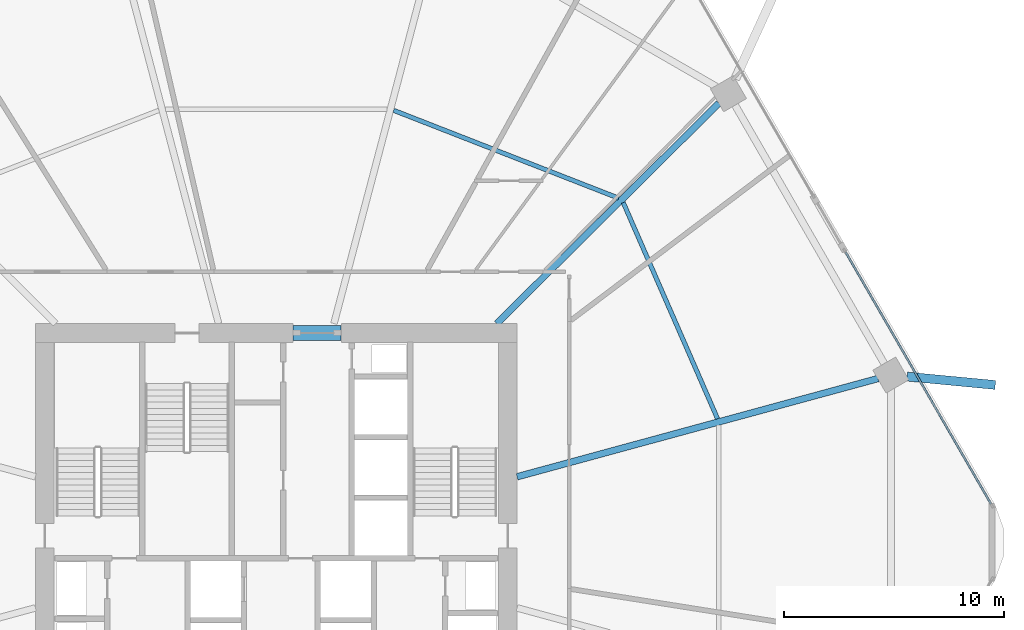
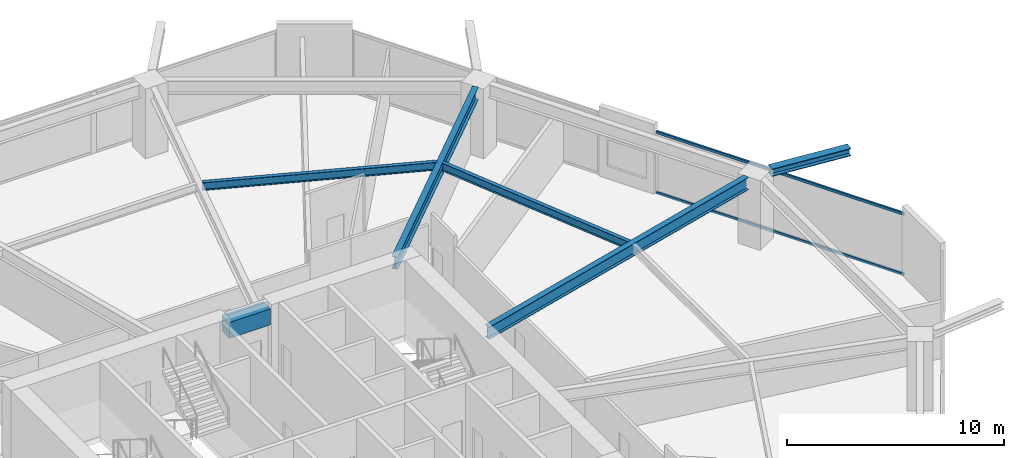
# One storey, part 16 of 25: 6 beams, 2 members, 1 element without a shape of its own.
"""IFC4 building model written with IfcOpenShell, lengths in metres."""

from ifc_helpers import new_model, si_unit, direction, frame, origin, origin_2d, place, context, subcontext, project, spatial, rectangle, hollow_rectangle, i_section, extrude, material, material_profile, profile_set, type_object, element, aggregate, save


model = new_model("IFC4")

# Units and contexts
model_context = context("Model", 3, precision=1e-05, world=origin(), true_north=direction((0.0, 1.0)))
body_context = subcontext(model_context, "Body", "Model", "MODEL_VIEW")
ifc_project = project(units=[si_unit("LENGTHUNIT", "METRE"), si_unit("AREAUNIT", "SQUARE_METRE"), si_unit("VOLUMEUNIT", "CUBIC_METRE"), si_unit("PLANEANGLEUNIT", "RADIAN"), si_unit("MASSUNIT", "GRAM", prefix="KILO")], contexts=[model_context])

# Site, building, storey
site_placement = place(None, origin())
site = spatial("IfcSite", under=ifc_project, at=site_placement, CompositionType="ELEMENT")
building_placement = place(site_placement, origin())
building = spatial("IfcBuilding", under=site, at=building_placement, Name="Zuhravey Tower", CompositionType="ELEMENT")
storey_placement = place(building_placement, frame((0.0, 0.0, 37.199951171875)))
storey = spatial("IfcBuildingStorey", under=building, at=storey_placement, Name="L09", CompositionType="ELEMENT", Elevation=37.199951171875)

# Beam
ifc_material_1 = material(Name="Concrete C60/75", Category="concrete")
ifc_material_profile_1 = material_profile(ifc_material_1, rectangle(XDim=0.699951171875, YDim=0.89990234375, at=origin_2d()), Name="RC-700x900")
ifc_profile_set_1 = profile_set([ifc_material_profile_1], Name="Concrete C60/75")
beam_type_1 = type_object("IfcBeamType", Name="Core Coupling Beam RC700x900", PredefinedType="LINTEL", material=ifc_profile_set_1)
beam_1_placement = place(storey_placement, frame((36.751953125, 41.5, 3.469970703125), z_axis=(1.0, 0.0, 0.0), x_axis=(0.0, 1.0, 0.0)))
element("IfcBeam", 1, at=beam_1_placement, inside=storey, type_object=beam_type_1, Name="L09 CB1 BM-L09-CB-N", PredefinedType="LINTEL", context=body_context, shape_type="SweptSolid", body=[
    extrude(rectangle(XDim=0.699951171875, YDim=0.89990234375, at=origin_2d()), origin(), (0.0, 0.0, 1.0), 2.196044921875),
])

# Curtain wall, members
ifc_material_2 = material(Name="Thermally broken anodised aluminium", Category="aluminium")
curtain_wall_type = type_object("IfcCurtainWallType", Name="School Low-E Unitised Curtain Wall CW1", PredefinedType="NOTDEFINED", material=ifc_material_2)
curtain_wall_placement = place(storey_placement, origin())
curtain_wall = element("IfcCurtainWall", 2, at=curtain_wall_placement, inside=storey, type_object=curtain_wall_type, Name="L09 CW1 CW-L09-F1-2", PredefinedType="NOTDEFINED")
ifc_material_3 = material(Name="Anodised aluminium", Category="aluminium")
ifc_material_profile_2 = material_profile(ifc_material_3, hollow_rectangle(XDim=0.090087890625, YDim=0.14990234375, WallThickness=0.0048828125, at=origin_2d()), Name="ALU-RHS-90x150x5")
ifc_profile_set_2 = profile_set([ifc_material_profile_2], Name="Anodised aluminium")
member_type = type_object("IfcMemberType", Name="Curtain-Wall Transom 90x150", PredefinedType="USERDEFINED", material=ifc_profile_set_2)
member_1_placement = place(storey_placement, frame((61.836181640625, 45.167236328125, 0.045166015625), z_axis=(0.500009686361, -0.866019811289, 0.0), x_axis=(0.866019811289, 0.500009686361, 0.0)))
member_1 = element("IfcMember", 3, at=member_1_placement, type_object=member_type, Name="CW1 transom 1.1", ObjectType="TRANSOM", PredefinedType="USERDEFINED", context=body_context, shape_type="SweptSolid", body=[
    extrude(hollow_rectangle(XDim=0.090087890625, YDim=0.14990234375, WallThickness=0.0048828125, at=origin_2d()), origin(), (0.0, 0.0, 1.0), 13.194580078125),
])
member_2_placement = place(storey_placement, frame((61.836181640625, 45.167236328125, 3.447021484375), z_axis=(0.500009686361, -0.866019811289, 0.0), x_axis=(0.866019811289, 0.500009686361, 0.0)))
member_2 = element("IfcMember", 4, at=member_2_placement, type_object=member_type, Name="CW1 transom 1.2", ObjectType="TRANSOM", PredefinedType="USERDEFINED", context=body_context, shape_type="SweptSolid", body=[
    extrude(hollow_rectangle(XDim=0.090087890625, YDim=0.14990234375, WallThickness=0.0048828125, at=origin_2d()), origin(), (0.0, 0.0, 1.0), 13.194580078125),
])
aggregate(curtain_wall, [member_1, member_2])

# Beams
ifc_material_4 = material(Name="Steel SM460", Category="steel")
ifc_material_profile_3 = material_profile(ifc_material_4, i_section(OverallWidth=0.406982421875, OverallDepth=0.427978515625, WebThickness=0.02001953125, FlangeThickness=0.034912109375, at=origin_2d()), Name="H-428x407x20x35")
ifc_profile_set_3 = profile_set([ifc_material_profile_3], Name="Steel SM460")
beam_type_2 = type_object("IfcBeamType", Name="Exoskeleton Node Tie Beam H428x407", PredefinedType="BEAM", material=ifc_profile_set_3)
beam_2_placement = place(storey_placement, frame((64.6259765625, 39.521728515625, 3.7060546875), z_axis=(0.99552164768, -0.09453385108, 0.0), x_axis=(0.09453385108, 0.99552164768, 0.0)))
element("IfcBeam", 5, at=beam_2_placement, inside=storey, type_object=beam_type_2, Name="L09 Exoskeleton Node Tie NT1-01", PredefinedType="BEAM", context=body_context, shape_type="SweptSolid", body=[
    extrude(i_section(OverallWidth=0.406982421875, OverallDepth=0.427978515625, WebThickness=0.02001953125, FlangeThickness=0.034912109375, at=origin_2d()), origin(), (0.0, 0.0, 1.0), 4.0185546875),
])
ifc_material_5 = material(Name="Steel SM355", Category="steel")
ifc_material_profile_4 = material_profile(ifc_material_5, i_section(OverallWidth=0.300048828125, OverallDepth=0.699951171875, WebThickness=0.012939453125, FlangeThickness=0.02392578125, at=origin_2d()), Name="H-700x300x13x24")
ifc_profile_set_4 = profile_set([ifc_material_profile_4], Name="Steel SM355")
beam_type_3 = type_object("IfcBeamType", Name="Radial Primary Girder H700x300", PredefinedType="BEAM", material=ifc_profile_set_4)
beam_3_placement = place(storey_placement, frame((46.927978515625, 34.974609375, 3.570068359375), z_axis=(0.964892480455, 0.26264520015, 0.0), x_axis=(-0.26264520015, 0.964892480455, 0.0)))
element("IfcBeam", 6, at=beam_3_placement, inside=storey, type_object=beam_type_3, Name="L09 RG1 BM-L09-RAD-01", PredefinedType="BEAM", context=body_context, shape_type="SweptSolid", body=[
    extrude(i_section(OverallWidth=0.300048828125, OverallDepth=0.699951171875, WebThickness=0.012939453125, FlangeThickness=0.02392578125, at=origin_2d()), origin(), (0.0, 0.0, 1.0), 16.975341796875),
])
beam_4_placement = place(storey_placement, frame((46.007080078125, 41.927978515625, 3.570068359375), z_axis=(0.709902823282, 0.704299639, 0.0), x_axis=(-0.704299639, 0.709902823282, 0.0)))
element("IfcBeam", 7, at=beam_4_placement, inside=storey, type_object=beam_type_3, Name="L09 RG1 BM-L09-RAD-02", PredefinedType="BEAM", context=body_context, shape_type="SweptSolid", body=[
    extrude(i_section(OverallWidth=0.300048828125, OverallDepth=0.699951171875, WebThickness=0.012939453125, FlangeThickness=0.02392578125, at=origin_2d()), origin(), (0.0, 0.0, 1.0), 14.204345703125),
])
ifc_material_profile_5 = material_profile(ifc_material_5, i_section(OverallWidth=0.199951171875, OverallDepth=0.449951171875, WebThickness=0.009033203125, FlangeThickness=0.013916015625, at=origin_2d()), Name="H-450x200x9x14")
ifc_profile_set_5 = profile_set([ifc_material_profile_5], Name="Steel SM355")
beam_type_4 = type_object("IfcBeamType", Name="Secondary Floor Joist H450x200", PredefinedType="JOIST", material=ifc_profile_set_5)
beam_5_placement = place(storey_placement, frame((56.025390625, 37.60888671875, 3.695068359375), z_axis=(-0.399923551578, 0.916548500022, 0.0), x_axis=(-0.916548500022, -0.399923551578, 0.0)))
element("IfcBeam", 8, at=beam_5_placement, inside=storey, type_object=beam_type_4, Name="L09 SJ1 BM-L09-SJ-01-1", PredefinedType="JOIST", context=body_context, shape_type="SweptSolid", body=[
    extrude(i_section(OverallWidth=0.199951171875, OverallDepth=0.449951171875, WebThickness=0.009033203125, FlangeThickness=0.013916015625, at=origin_2d()), origin(), (0.0, 0.0, 1.0), 10.70263671875),
])
beam_6_placement = place(storey_placement, frame((51.5400390625, 47.61572265625, 3.695068359375), z_axis=(-0.931516535886, 0.363698973562, 0.0), x_axis=(-0.363698973562, -0.931516535886, 0.0)))
element("IfcBeam", 9, at=beam_6_placement, inside=storey, type_object=beam_type_4, Name="L09 SJ1 BM-L09-SJ-02-1", PredefinedType="JOIST", context=body_context, shape_type="SweptSolid", body=[
    extrude(i_section(OverallWidth=0.199951171875, OverallDepth=0.449951171875, WebThickness=0.009033203125, FlangeThickness=0.013916015625, at=origin_2d()), origin(), (0.0, 0.0, 1.0), 10.963134765625),
])

save(model, "model.ifc")
